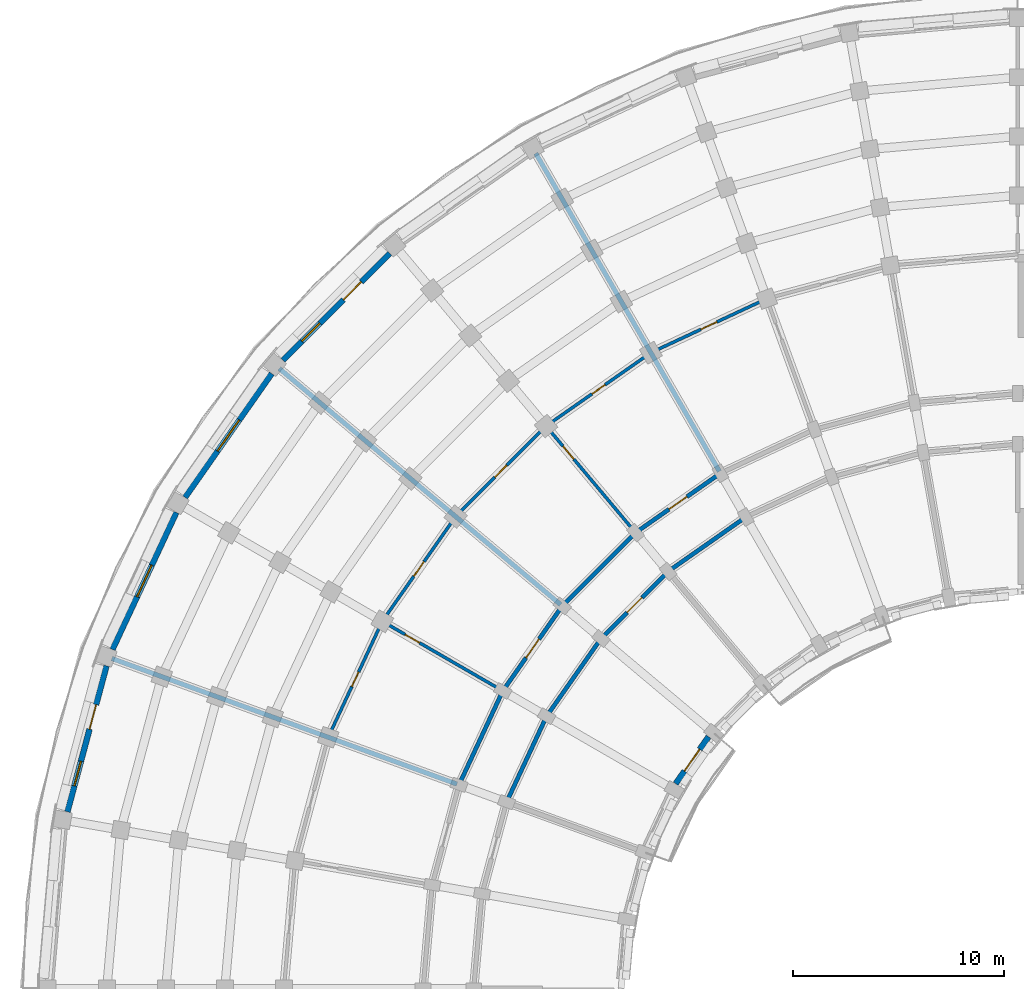
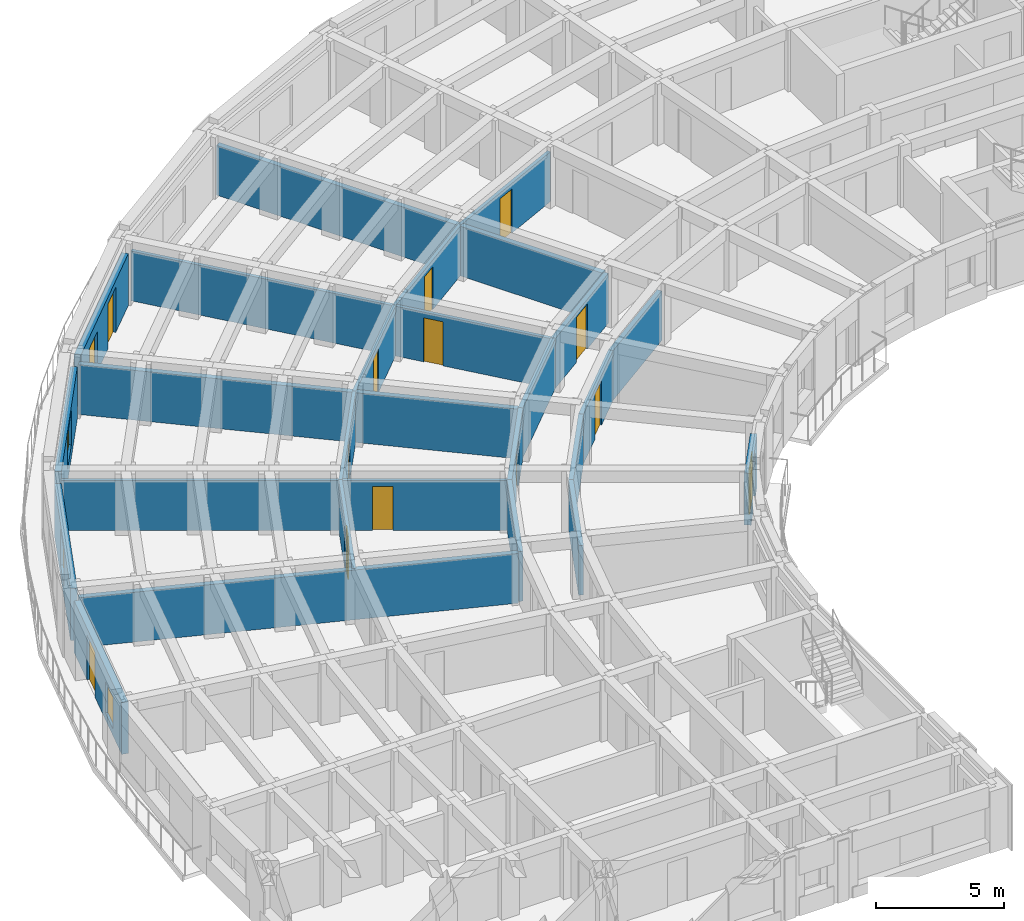
# One storey, part 44 of 76: 23 walls, 13 doors, 4 windows, 17 openings.
"""IFC4 building model written with IfcOpenShell, lengths in metres."""

from ifc_helpers import new_model, si_unit, direction, frame, frame_2d, origin, place, context, subcontext, project, spatial, rectangle, extrude, material, layer, layer_set, type_object, element, fill, save


model = new_model("IFC4")

# Units and contexts
model_context = context("Model", 3, precision=1e-05, world=origin(), true_north=direction((0.0, 1.0)))
body_context = subcontext(model_context, "Body", "Model", "MODEL_VIEW")
ifc_project = project(units=[si_unit("LENGTHUNIT", "METRE"), si_unit("AREAUNIT", "SQUARE_METRE"), si_unit("VOLUMEUNIT", "CUBIC_METRE"), si_unit("PLANEANGLEUNIT", "RADIAN"), si_unit("MASSUNIT", "GRAM", prefix="KILO")], contexts=[model_context])

# Site, building, storey
site_placement = place(None, origin())
site = spatial("IfcSite", under=ifc_project, at=site_placement, CompositionType="ELEMENT")
building_placement = place(site_placement, origin())
building = spatial("IfcBuilding", under=site, at=building_placement, Name="Kiranvali Square Residences", CompositionType="ELEMENT")
storey_placement = place(building_placement, frame((0.0, 0.0, 8.699951171875)))
storey = spatial("IfcBuildingStorey", under=building, at=storey_placement, Name="L02", CompositionType="ELEMENT", Elevation=8.699951171875)

# Wall
ifc_material_1 = material(Name="Autoclaved aerated concrete blockwork masonry", Category="masonry")
ifc_layer_1 = layer(ifc_material_1, 0.199951171875)
ifc_layer_set_1 = layer_set([ifc_layer_1], Name="Autoclaved aerated concrete blockwork masonry")
wall_type_1 = type_object("IfcWallType", Name="WL-COR-200", PredefinedType="STANDARD", material=ifc_layer_set_1)
wall_1_placement = place(storey_placement, frame((35.300048828125, 110.1435546875, 0.0), z_axis=(0.0, 0.0, 1.0), x_axis=(-0.819155404658, -0.573571637217, 0.0)))
element("IfcWall", 1, at=wall_1_placement, inside=storey, type_object=wall_type_1, Name="L02 architectural wall WL-L02-A-CCI-3", PredefinedType="STANDARD", context=body_context, shape_type="SweptSolid", body=[
    extrude(rectangle(XDim=4.497314453125, YDim=0.199951171875, at=frame_2d((2.24853515625, 0.0))), origin(), (0.0, 0.0, 1.0), 2.3720703125),
])

# Wall, opening, door
wall_2_placement = place(storey_placement, frame((34.10009765625, 112.221923828125, 0.0), z_axis=(0.0, 0.0, 1.0), x_axis=(-0.819140911474, -0.573592335331, 0.0)))
wall_2 = element("IfcWall", 2, at=wall_2_placement, inside=storey, type_object=wall_type_1, Name="L02 architectural wall WL-L02-A-CCO-3", PredefinedType="STANDARD", context=body_context, shape_type="SweptSolid", body=[
    extrude(rectangle(XDim=4.915771484375, YDim=0.199951171875, at=frame_2d((2.4580078125, 0.0))), origin(), (0.0, 0.0, 1.0), 2.3720703125),
])
opening_1_placement = place(wall_2_placement, frame((1.937744140625, 0.0, 0.0)))
opening_1 = element("IfcOpeningElement", 3, at=opening_1_placement, cuts=wall_2, Name="Opening FD-APT-60B", PredefinedType="OPENING", context=body_context, shape_type="SweptSolid", body=[
    extrude(rectangle(XDim=1.0400390625, YDim=2.14990234375, at=frame_2d((0.52001953125, 1.074951171875))), frame((0.0, 0.10986328125, 0.0), z_axis=(0.0, -1.0, 0.0), x_axis=(1.0, 0.0, 0.0)), (0.0, 0.0, 1.0), 0.219970703125),
])
ifc_material_2 = material(Name="Fire-rated acoustic hardwood and mineral-core door assembly", Category="wood")
door_type_1 = type_object("IfcDoorType", Name="DR-APT-1040", OperationType="NOTDEFINED", PredefinedType="DOOR", material=ifc_material_2)
door_1_placement = place(opening_1_placement, origin())
door_1 = element("IfcDoor", 4, at=door_1_placement, inside=storey, type_object=door_type_1, Name="L02 door DR-L02-0191 (DR-APT-1040)", OperationType="SINGLE_SWING_LEFT", OverallHeight=2.14990234375, OverallWidth=1.0400390625, PredefinedType="DOOR", context=body_context, shape_type="SweptSolid", body=[
    extrude(rectangle(XDim=1.0400390625, YDim=2.14990234375, at=frame_2d((0.52001953125, 1.074951171875))), frame((0.0, 0.02490234375, 0.0), z_axis=(0.0, -1.0, 0.0), x_axis=(1.0, 0.0, 0.0)), (0.0, 0.0, 1.0), 0.050048828125),
])
fill(opening_1, door_1)

wall_3_placement = place(storey_placement, frame((31.615966796875, 107.56396484375, 0.0), z_axis=(0.0, 0.0, 1.0), x_axis=(-0.707106781187, -0.707106781187, 0.0)))
wall_3 = element("IfcWall", 5, at=wall_3_placement, inside=storey, type_object=wall_type_1, Name="L02 architectural wall WL-L02-A-CCI-4", PredefinedType="STANDARD", context=body_context, shape_type="SweptSolid", body=[
    extrude(rectangle(XDim=4.4970703125, YDim=0.199951171875, at=frame_2d((2.24853515625, 0.0))), origin(), (0.0, 0.0, 1.0), 2.3720703125),
])
opening_2_placement = place(wall_3_placement, frame((1.74853515625, 0.0, 0.0)))
opening_2 = element("IfcOpeningElement", 6, at=opening_2_placement, cuts=wall_3, Name="Opening FD-APT-60", PredefinedType="OPENING", context=body_context, shape_type="SweptSolid", body=[
    extrude(rectangle(XDim=1.0, YDim=2.14990234375, at=frame_2d((0.5, 1.074951171875))), frame((0.0, 0.10986328125, 0.0), z_axis=(0.0, -1.0, 0.0), x_axis=(1.0, 0.0, 0.0)), (0.0, 0.0, 1.0), 0.219970703125),
])
door_type_2 = type_object("IfcDoorType", Name="DR-APT-1000", OperationType="NOTDEFINED", PredefinedType="DOOR", material=ifc_material_2)
door_2_placement = place(opening_2_placement, frame((1.0, 0.0, 0.0), z_axis=(0.0, 0.0, 1.0), x_axis=(-1.0, 0.0, 0.0)))
door_2 = element("IfcDoor", 7, at=door_2_placement, inside=storey, type_object=door_type_2, Name="L02 door DR-L02-0202 (DR-APT-1000)", OperationType="SINGLE_SWING_RIGHT", OverallHeight=2.14990234375, OverallWidth=1.0, PredefinedType="DOOR", context=body_context, shape_type="SweptSolid", body=[
    extrude(rectangle(XDim=1.0, YDim=2.14990234375, at=frame_2d((0.5, 1.074951171875))), frame((0.0, 0.02490234375, 0.0), z_axis=(0.0, -1.0, 0.0), x_axis=(1.0, 0.0, 0.0)), (0.0, 0.0, 1.0), 0.050048828125),
])
fill(opening_2, door_2)

# Walls
wall_4_placement = place(storey_placement, frame((30.073486328125, 109.40234375, 0.0), z_axis=(0.0, 0.0, 1.0), x_axis=(-0.707106781187, -0.707106781187, 0.0)))
element("IfcWall", 8, at=wall_4_placement, inside=storey, type_object=wall_type_1, Name="L02 architectural wall WL-L02-A-CCO-4", PredefinedType="STANDARD", context=body_context, shape_type="SweptSolid", body=[
    extrude(rectangle(XDim=4.91552734375, YDim=0.199951171875, at=frame_2d((2.457763671875, 0.0))), origin(), (0.0, 0.0, 1.0), 2.3720703125),
])
wall_5_placement = place(storey_placement, frame((28.43603515625, 104.384033203125, 0.0), z_axis=(0.0, 0.0, 1.0), x_axis=(-0.573571637217, -0.819155404658, 0.0)))
element("IfcWall", 9, at=wall_5_placement, inside=storey, type_object=wall_type_1, Name="L02 architectural wall WL-L02-A-CCI-5", PredefinedType="STANDARD", context=body_context, shape_type="SweptSolid", body=[
    extrude(rectangle(XDim=4.497314453125, YDim=0.199951171875, at=frame_2d((2.24853515625, 0.0))), origin(), (0.0, 0.0, 1.0), 2.3720703125),
])

# Wall, opening, door
wall_6_placement = place(storey_placement, frame((26.59765625, 105.926513671875, 0.0), z_axis=(0.0, 0.0, 1.0), x_axis=(-0.573592335331, -0.819140911474, 0.0)))
wall_6 = element("IfcWall", 10, at=wall_6_placement, inside=storey, type_object=wall_type_1, Name="L02 architectural wall WL-L02-A-CCO-5", PredefinedType="STANDARD", context=body_context, shape_type="SweptSolid", body=[
    extrude(rectangle(XDim=4.915771484375, YDim=0.199951171875, at=frame_2d((2.4580078125, 0.0))), origin(), (0.0, 0.0, 1.0), 2.3720703125),
])
opening_3_placement = place(wall_6_placement, frame((1.917724609375, 0.0, 0.0)))
opening_3 = element("IfcOpeningElement", 11, at=opening_3_placement, cuts=wall_6, Name="Opening FD-APT-60C", PredefinedType="OPENING", context=body_context, shape_type="SweptSolid", body=[
    extrude(rectangle(XDim=1.080078125, YDim=2.14990234375, at=frame_2d((0.5400390625, 1.074951171875))), frame((0.0, 0.10986328125, 0.0), z_axis=(0.0, -1.0, 0.0), x_axis=(1.0, 0.0, 0.0)), (0.0, 0.0, 1.0), 0.219970703125),
])
door_type_3 = type_object("IfcDoorType", Name="DR-APT-1080", OperationType="NOTDEFINED", PredefinedType="DOOR", material=ifc_material_2)
door_3_placement = place(opening_3_placement, frame((1.080078125, 0.0, 0.0), z_axis=(0.0, 0.0, 1.0), x_axis=(-1.0, 0.0, 0.0)))
door_3 = element("IfcDoor", 12, at=door_3_placement, inside=storey, type_object=door_type_3, Name="L02 door DR-L02-0194 (DR-APT-1080)", OperationType="SINGLE_SWING_RIGHT", OverallHeight=2.14990234375, OverallWidth=1.080078125, PredefinedType="DOOR", context=body_context, shape_type="SweptSolid", body=[
    extrude(rectangle(XDim=1.080078125, YDim=2.14990234375, at=frame_2d((0.5400390625, 1.074951171875))), frame((0.0, 0.02490234375, 0.0), z_axis=(0.0, -1.0, 0.0), x_axis=(1.0, 0.0, 0.0)), (0.0, 0.0, 1.0), 0.050048828125),
])
fill(opening_3, door_3)

# Walls
wall_7_placement = place(storey_placement, frame((25.8564453125, 100.699951171875, 0.0), z_axis=(0.0, 0.0, 1.0), x_axis=(-0.422617978463, -0.906307919131, 0.0)))
element("IfcWall", 13, at=wall_7_placement, inside=storey, type_object=wall_type_1, Name="L02 architectural wall WL-L02-A-CCI-6", PredefinedType="STANDARD", context=body_context, shape_type="SweptSolid", body=[
    extrude(rectangle(XDim=4.497314453125, YDim=0.199951171875, at=frame_2d((2.24853515625, 0.0))), origin(), (0.0, 0.0, 1.0), 2.3720703125),
])
wall_8_placement = place(storey_placement, frame((23.778076171875, 101.89990234375, 0.0), z_axis=(0.0, 0.0, 1.0), x_axis=(-0.422629854778, -0.906302381024, 0.0)))
element("IfcWall", 14, at=wall_8_placement, inside=storey, type_object=wall_type_1, Name="L02 architectural wall WL-L02-A-CCO-6", PredefinedType="STANDARD", context=body_context, shape_type="SweptSolid", body=[
    extrude(rectangle(XDim=4.915283203125, YDim=0.199951171875, at=frame_2d((2.45751953125, 0.0))), origin(), (0.0, 0.0, 1.0), 2.3720703125),
])
ifc_layer_2 = layer(ifc_material_1, 0.22998046875)
ifc_layer_set_2 = layer_set([ifc_layer_2], Name="Autoclaved aerated concrete blockwork masonry")
wall_type_2 = type_object("IfcWallType", Name="WL-DEM-230", PredefinedType="STANDARD", material=ifc_layer_set_2)
for number, where, z_axis, x_axis, name in (
    (15, (34.050048828125, 112.30859375, 0.0), (0.0, 0.0, 1.0), (-0.499997843263, 0.866026648973, 0.0), "L02 architectural wall WL-L02-A-RADO-3"),
    (16, (26.52099609375, 105.990966796875, 0.0), (0.0, 0.0, 1.0), (-0.766046835987, 0.642784757967, 0.0), "L02 architectural wall WL-L02-A-RADO-5"),
    (17, (21.606689453125, 97.479248046875, 0.0), (0.0, 0.0, 1.0), (-0.939691901159, 0.342022120477, 0.0), "L02 architectural wall WL-L02-A-RADO-7"),
):
    element("IfcWall", number, at=place(storey_placement, frame(where, z_axis=z_axis, x_axis=x_axis)), inside=storey, type_object=wall_type_2, Name=name, PredefinedType="STANDARD", context=body_context, shape_type="SweptSolid", body=[
        extrude(rectangle(XDim=17.419921875, YDim=0.22998046875, at=frame_2d((8.7099609375, 0.0))), origin(), (0.0, 0.0, 1.0), 2.3720703125),
    ])

# Wall, openings, door, window
ifc_material_3 = material(Name="Breathable lime-rendered clay brick masonry", Category="masonry")
ifc_layer_3 = layer(ifc_material_3, 0.27490234375)
ifc_layer_set_3 = layer_set([ifc_layer_3], Name="Breathable lime-rendered clay brick masonry")
wall_type_3 = type_object("IfcWallType", Name="WL-EXT-275", PredefinedType="STANDARD", material=ifc_layer_set_3)
wall_9_placement = place(storey_placement, frame((18.418212890625, 122.647705078125, 0.0), z_axis=(0.0, 0.0, 1.0), x_axis=(-0.707106781187, -0.707106781187, 0.0)))
wall_9 = element("IfcWall", 18, at=wall_9_placement, inside=storey, type_object=wall_type_3, Name="L02 exterior wall A-L02-CRV-04", PredefinedType="STANDARD", context=body_context, shape_type="SweptSolid", body=[
    extrude(rectangle(XDim=7.164306640625, YDim=0.27490234375, at=frame_2d((3.58203125, 0.0))), origin(), (0.0, 0.0, 1.0), 2.47216796875),
])
opening_4_placement = place(wall_9_placement, frame((4.6904296875, 0.0, 0.422119140625)))
opening_4 = element("IfcOpeningElement", 19, at=opening_4_placement, cuts=wall_9, Name="Opening W-06", PredefinedType="OPENING", context=body_context, shape_type="SweptSolid", body=[
    extrude(rectangle(XDim=1.199951171875, YDim=1.5, at=frame_2d((0.60009765625, 0.75))), frame((0.0, 0.1474609375, 0.0), z_axis=(0.0, -1.0, 0.0), x_axis=(1.0, 0.0, 0.0)), (0.0, 0.0, 1.0), 0.294921875),
])
opening_5_placement = place(wall_9_placement, frame((1.907470703125, 0.0, 0.0)))
opening_5 = element("IfcOpeningElement", 20, at=opening_5_placement, cuts=wall_9, Name="Opening ED-BAL-1", PredefinedType="OPENING", context=body_context, shape_type="SweptSolid", body=[
    extrude(rectangle(XDim=1.199951171875, YDim=2.14990234375, at=frame_2d((0.60009765625, 1.074951171875))), frame((0.0, 0.1474609375, 0.0), z_axis=(0.0, -1.0, 0.0), x_axis=(1.0, 0.0, 0.0)), (0.0, 0.0, 1.0), 0.294921875),
])
ifc_material_4 = material(Name="Anodised bronze aluminium framing", Category="aluminium")
door_type_4 = type_object("IfcDoorType", Name="DR-BAL-1200", OperationType="NOTDEFINED", PredefinedType="DOOR", material=ifc_material_4)
door_4_placement = place(opening_5_placement, frame((1.199951171875, 0.0, 0.0), z_axis=(0.0, 0.0, 1.0), x_axis=(-1.0, 0.0, 0.0)))
door_4 = element("IfcDoor", 21, at=door_4_placement, inside=storey, type_object=door_type_4, Name="L02 balcony terrace door", OperationType="SINGLE_SWING_RIGHT", OverallHeight=2.14990234375, OverallWidth=1.199951171875, PredefinedType="DOOR", context=body_context, shape_type="SweptSolid", body=[
    extrude(rectangle(XDim=1.199951171875, YDim=2.14990234375, at=frame_2d((0.60009765625, 1.074951171875))), frame((0.0, 0.02490234375, 0.0), z_axis=(0.0, -1.0, 0.0), x_axis=(1.0, 0.0, 0.0)), (0.0, 0.0, 1.0), 0.050048828125),
])
fill(opening_5, door_4)
ifc_material_5 = material(Name="Solar-control low-e double glazing", Category="glass")
window_type_1 = type_object("IfcWindowType", Name="WIN-RES-1200x1500", PartitioningType="SINGLE_PANEL", PredefinedType="WINDOW", material=ifc_material_5)
window_1_placement = place(opening_4_placement, origin())
window_1 = element("IfcWindow", 22, at=window_1_placement, inside=storey, type_object=window_type_1, Name="L02 recessed window A-L02-CRV-04", OverallHeight=1.5, OverallWidth=1.199951171875, PartitioningType="SINGLE_PANEL", PredefinedType="WINDOW", context=body_context, shape_type="SweptSolid", body=[
    extrude(rectangle(XDim=1.199951171875, YDim=1.5, at=frame_2d((0.60009765625, 0.75))), frame((0.0, 0.030029296875, 0.0), z_axis=(0.0, -1.0, 0.0), x_axis=(1.0, 0.0, 0.0)), (0.0, 0.0, 1.0), 0.06005859375),
])
fill(opening_4, window_1)

# Wall, opening, window
wall_10_placement = place(storey_placement, frame((12.8193359375, 116.94677734375, 0.0), z_axis=(0.0, 0.0, 1.0), x_axis=(-0.573562972382, -0.819161471697, 0.0)))
wall_10 = element("IfcWall", 23, at=wall_10_placement, inside=storey, type_object=wall_type_3, Name="L02 exterior wall A-L02-CRV-05", PredefinedType="STANDARD", context=body_context, shape_type="SweptSolid", body=[
    extrude(rectangle(XDim=7.164306640625, YDim=0.27490234375, at=frame_2d((3.58203125, 0.0))), origin(), (0.0, 0.0, 1.0), 2.47216796875),
])
opening_6_placement = place(wall_10_placement, frame((2.68212890625, 0.0, 0.6220703125)))
opening_6 = element("IfcOpeningElement", 24, at=opening_6_placement, cuts=wall_10, Name="Opening W-04", PredefinedType="OPENING", context=body_context, shape_type="SweptSolid", body=[
    extrude(rectangle(XDim=1.800048828125, YDim=1.64990234375, at=frame_2d((0.89990234375, 0.824951171875))), frame((0.0, 0.1474609375, 0.0), z_axis=(0.0, -1.0, 0.0), x_axis=(1.0, 0.0, 0.0)), (0.0, 0.0, 1.0), 0.294921875),
])
window_type_2 = type_object("IfcWindowType", Name="WIN-RES-1800x1650", PartitioningType="DOUBLE_PANEL_VERTICAL", PredefinedType="WINDOW", material=ifc_material_5)
window_2_placement = place(opening_6_placement, origin())
window_2 = element("IfcWindow", 25, at=window_2_placement, inside=storey, type_object=window_type_2, Name="L02 recessed window A-L02-CRV-05", OverallHeight=1.64990234375, OverallWidth=1.800048828125, PartitioningType="DOUBLE_PANEL_VERTICAL", PredefinedType="WINDOW", context=body_context, shape_type="SweptSolid", body=[
    extrude(rectangle(XDim=1.800048828125, YDim=1.64990234375, at=frame_2d((0.89990234375, 0.824951171875))), frame((0.0, 0.030029296875, 0.0), z_axis=(0.0, -1.0, 0.0), x_axis=(1.0, 0.0, 0.0)), (0.0, 0.0, 1.0), 0.06005859375),
])
fill(opening_6, window_2)

wall_11_placement = place(storey_placement, frame((8.295654296875, 110.360107421875, 0.0), z_axis=(0.0, 0.0, 1.0), x_axis=(-0.422633596215, -0.906300636296, 0.0)))
wall_11 = element("IfcWall", 26, at=wall_11_placement, inside=storey, type_object=wall_type_3, Name="L02 exterior wall A-L02-CRV-06", PredefinedType="STANDARD", context=body_context, shape_type="SweptSolid", body=[
    extrude(rectangle(XDim=7.164306640625, YDim=0.27490234375, at=frame_2d((3.58203125, 0.0))), origin(), (0.0, 0.0, 1.0), 2.47216796875),
])
opening_7_placement = place(wall_11_placement, frame((2.757080078125, 0.0, 0.52197265625)))
opening_7 = element("IfcOpeningElement", 27, at=opening_7_placement, cuts=wall_11, Name="Opening W-13", PredefinedType="OPENING", context=body_context, shape_type="SweptSolid", body=[
    extrude(rectangle(XDim=1.64990234375, YDim=1.75, at=frame_2d((0.824951171875, 0.875))), frame((0.0, 0.1474609375, 0.0), z_axis=(0.0, -1.0, 0.0), x_axis=(1.0, 0.0, 0.0)), (0.0, 0.0, 1.0), 0.294921875),
])
window_type_3 = type_object("IfcWindowType", Name="WIN-RES-1650x1750", PartitioningType="DOUBLE_PANEL_VERTICAL", PredefinedType="WINDOW", material=ifc_material_5)
window_3_placement = place(opening_7_placement, origin())
window_3 = element("IfcWindow", 28, at=window_3_placement, inside=storey, type_object=window_type_3, Name="L02 recessed window A-L02-CRV-06", OverallHeight=1.75, OverallWidth=1.64990234375, PartitioningType="DOUBLE_PANEL_VERTICAL", PredefinedType="WINDOW", context=body_context, shape_type="SweptSolid", body=[
    extrude(rectangle(XDim=1.64990234375, YDim=1.75, at=frame_2d((0.824951171875, 0.875))), frame((0.0, 0.030029296875, 0.0), z_axis=(0.0, -1.0, 0.0), x_axis=(1.0, 0.0, 0.0)), (0.0, 0.0, 1.0), 0.06005859375),
])
fill(opening_7, window_3)

# Wall, openings, door, window
wall_12_placement = place(storey_placement, frame((4.984375, 103.087890625, 0.0), z_axis=(0.0, 0.0, 1.0), x_axis=(-0.258826933296, -0.965923712619, 0.0)))
wall_12 = element("IfcWall", 29, at=wall_12_placement, inside=storey, type_object=wall_type_3, Name="L02 exterior wall A-L02-CRV-07", PredefinedType="STANDARD", context=body_context, shape_type="SweptSolid", body=[
    extrude(rectangle(XDim=7.1640625, YDim=0.27490234375, at=frame_2d((3.58203125, 0.0))), origin(), (0.0, 0.0, 1.0), 2.47216796875),
])
opening_8_placement = place(wall_12_placement, frame((4.6904296875, 0.0, 0.322021484375)))
opening_8 = element("IfcOpeningElement", 30, at=opening_8_placement, cuts=wall_12, Name="Opening W-06", PredefinedType="OPENING", context=body_context, shape_type="SweptSolid", body=[
    extrude(rectangle(XDim=1.199951171875, YDim=1.5, at=frame_2d((0.60009765625, 0.75))), frame((0.0, 0.1474609375, 0.0), z_axis=(0.0, -1.0, 0.0), x_axis=(1.0, 0.0, 0.0)), (0.0, 0.0, 1.0), 0.294921875),
])
opening_9_placement = place(wall_12_placement, frame((1.907470703125, 0.0, 0.0)))
opening_9 = element("IfcOpeningElement", 31, at=opening_9_placement, cuts=wall_12, Name="Opening ED-BAL-1", PredefinedType="OPENING", context=body_context, shape_type="SweptSolid", body=[
    extrude(rectangle(XDim=1.199951171875, YDim=2.14990234375, at=frame_2d((0.60009765625, 1.074951171875))), frame((0.0, 0.1474609375, 0.0), z_axis=(0.0, -1.0, 0.0), x_axis=(1.0, 0.0, 0.0)), (0.0, 0.0, 1.0), 0.294921875),
])
door_5_placement = place(opening_9_placement, frame((1.199951171875, 0.0, 0.0), z_axis=(0.0, 0.0, 1.0), x_axis=(-1.0, 0.0, 0.0)))
door_5 = element("IfcDoor", 32, at=door_5_placement, inside=storey, type_object=door_type_4, Name="L02 balcony terrace door", OperationType="SINGLE_SWING_LEFT", OverallHeight=2.14990234375, OverallWidth=1.199951171875, PredefinedType="DOOR", context=body_context, shape_type="SweptSolid", body=[
    extrude(rectangle(XDim=1.199951171875, YDim=2.14990234375, at=frame_2d((0.60009765625, 1.074951171875))), frame((0.0, 0.02490234375, 0.0), z_axis=(0.0, -1.0, 0.0), x_axis=(1.0, 0.0, 0.0)), (0.0, 0.0, 1.0), 0.050048828125),
])
fill(opening_9, door_5)
window_4_placement = place(opening_8_placement, origin())
window_4 = element("IfcWindow", 33, at=window_4_placement, inside=storey, type_object=window_type_1, Name="L02 recessed window A-L02-CRV-07", OverallHeight=1.5, OverallWidth=1.199951171875, PartitioningType="SINGLE_PANEL", PredefinedType="WINDOW", context=body_context, shape_type="SweptSolid", body=[
    extrude(rectangle(XDim=1.199951171875, YDim=1.5, at=frame_2d((0.60009765625, 0.75))), frame((0.0, 0.030029296875, 0.0), z_axis=(0.0, -1.0, 0.0), x_axis=(1.0, 0.0, 0.0)), (0.0, 0.0, 1.0), 0.06005859375),
])
fill(opening_8, window_4)

# Wall, opening, door
wall_13_placement = place(storey_placement, frame((33.535400390625, 99.72705078125, 0.0), z_axis=(0.0, 0.0, 1.0), x_axis=(-0.573546755948, -0.81917282593, 0.0)))
wall_13 = element("IfcWall", 34, at=wall_13_placement, inside=storey, type_object=wall_type_3, Name="L02 exterior wall A-L02-GDN-05", PredefinedType="STANDARD", context=body_context, shape_type="SweptSolid", body=[
    extrude(rectangle(XDim=2.717529296875, YDim=0.27490234375, at=frame_2d((1.35888671875, 0.0))), origin(), (0.0, 0.0, 1.0), 2.47216796875),
])
opening_10_placement = place(wall_13_placement, frame((0.728759765625, 0.0, 0.0)))
opening_10 = element("IfcOpeningElement", 35, at=opening_10_placement, cuts=wall_13, Name="Opening ED-BAL-2", PredefinedType="OPENING", context=body_context, shape_type="SweptSolid", body=[
    extrude(rectangle(XDim=1.260009765625, YDim=2.14990234375, at=frame_2d((0.6298828125, 1.074951171875))), frame((0.0, 0.1474609375, 0.0), z_axis=(0.0, -1.0, 0.0), x_axis=(1.0, 0.0, 0.0)), (0.0, 0.0, 1.0), 0.294921875),
])
door_type_5 = type_object("IfcDoorType", Name="DR-BAL-1260", OperationType="NOTDEFINED", PredefinedType="DOOR", material=ifc_material_4)
door_6_placement = place(opening_10_placement, origin())
door_6 = element("IfcDoor", 36, at=door_6_placement, inside=storey, type_object=door_type_5, Name="L02 balcony terrace door", OperationType="SINGLE_SWING_LEFT", OverallHeight=2.14990234375, OverallWidth=1.260009765625, PredefinedType="DOOR", context=body_context, shape_type="SweptSolid", body=[
    extrude(rectangle(XDim=1.260009765625, YDim=2.14990234375, at=frame_2d((0.6298828125, 1.074951171875))), frame((0.0, 0.02490234375, 0.0), z_axis=(0.0, -1.0, 0.0), x_axis=(1.0, 0.0, 0.0)), (0.0, 0.0, 1.0), 0.050048828125),
])
fill(opening_10, door_6)

ifc_material_6 = material(Name="Acoustic gypsum board drylined partition", Category="gypsum")
ifc_layer_4 = layer(ifc_material_6, 0.14990234375)
ifc_layer_set_4 = layer_set([ifc_layer_4], Name="Acoustic gypsum board drylined partition")
wall_type_4 = type_object("IfcWallType", Name="WL-PRT-150", PredefinedType="PARTITIONING", material=ifc_layer_set_4)
wall_14_placement = place(storey_placement, frame((30.009033203125, 109.47900390625, 0.0), z_axis=(0.0, 0.0, 1.0), x_axis=(-0.642784757967, 0.766046835987, 0.0)))
wall_14 = element("IfcWall", 37, at=wall_14_placement, inside=storey, type_object=wall_type_4, Name="L02 architectural wall WL-L02-A-RADO-4", PredefinedType="PARTITIONING", context=body_context, shape_type="SweptSolid", body=[
    extrude(rectangle(XDim=17.419921875, YDim=0.14990234375, at=frame_2d((8.7099609375, 0.0))), origin(), (0.0, 0.0, 1.0), 2.3720703125),
])
opening_11_placement = place(wall_14_placement, frame((4.44970703125, 0.0, 0.0)))
opening_11 = element("IfcOpeningElement", 38, at=opening_11_placement, cuts=wall_14, Name="Opening ID-WET", PredefinedType="OPENING", context=body_context, shape_type="SweptSolid", body=[
    extrude(rectangle(XDim=0.800048828125, YDim=2.10009765625, at=frame_2d((0.39990234375, 1.050048828125))), frame((0.0, 0.0849609375, 0.0), z_axis=(0.0, -1.0, 0.0), x_axis=(1.0, 0.0, 0.0)), (0.0, 0.0, 1.0), 0.169921875),
])
ifc_material_7 = material(Name="Solid seasoned teak hardwood joinery", Category="wood")
door_type_6 = type_object("IfcDoorType", Name="DR-WET-800", OperationType="NOTDEFINED", PredefinedType="DOOR", material=ifc_material_7)
door_7_placement = place(opening_11_placement, frame((0.800048828125, 0.0, 0.0), z_axis=(0.0, 0.0, 1.0), x_axis=(-1.0, 0.0, 0.0)))
door_7 = element("IfcDoor", 39, at=door_7_placement, inside=storey, type_object=door_type_6, Name="L02 door DR-L02-0184 (DR-WET-800)", OperationType="SINGLE_SWING_RIGHT", OverallHeight=2.10009765625, OverallWidth=0.800048828125, PredefinedType="DOOR", context=body_context, shape_type="SweptSolid", body=[
    extrude(rectangle(XDim=0.800048828125, YDim=2.10009765625, at=frame_2d((0.39990234375, 1.050048828125))), frame((0.0, 0.02490234375, 0.0), z_axis=(0.0, -1.0, 0.0), x_axis=(1.0, 0.0, 0.0)), (0.0, 0.0, 1.0), 0.050048828125),
])
fill(opening_11, door_7)

wall_15_placement = place(storey_placement, frame((23.69140625, 101.949951171875, 0.0), z_axis=(0.0, 0.0, 1.0), x_axis=(-0.866026648973, 0.499997843263, 0.0)))
wall_15 = element("IfcWall", 40, at=wall_15_placement, inside=storey, type_object=wall_type_4, Name="L02 architectural wall WL-L02-A-RADO-6", PredefinedType="PARTITIONING", context=body_context, shape_type="SweptSolid", body=[
    extrude(rectangle(XDim=17.419921875, YDim=0.14990234375, at=frame_2d((8.7099609375, 0.0))), origin(), (0.0, 0.0, 1.0), 2.3720703125),
])
opening_12_placement = place(wall_15_placement, frame((4.44970703125, 0.0, 0.0)))
opening_12 = element("IfcOpeningElement", 41, at=opening_12_placement, cuts=wall_15, Name="Opening ID-WET", PredefinedType="OPENING", context=body_context, shape_type="SweptSolid", body=[
    extrude(rectangle(XDim=0.800048828125, YDim=2.10009765625, at=frame_2d((0.39990234375, 1.050048828125))), frame((0.0, 0.0849609375, 0.0), z_axis=(0.0, -1.0, 0.0), x_axis=(1.0, 0.0, 0.0)), (0.0, 0.0, 1.0), 0.169921875),
])
door_8_placement = place(opening_12_placement, origin())
door_8 = element("IfcDoor", 42, at=door_8_placement, inside=storey, type_object=door_type_6, Name="L02 door DR-L02-0185 (DR-WET-800)", OperationType="SINGLE_SWING_LEFT", OverallHeight=2.10009765625, OverallWidth=0.800048828125, PredefinedType="DOOR", context=body_context, shape_type="SweptSolid", body=[
    extrude(rectangle(XDim=0.800048828125, YDim=2.10009765625, at=frame_2d((0.39990234375, 1.050048828125))), frame((0.0, 0.02490234375, 0.0), z_axis=(0.0, -1.0, 0.0), x_axis=(1.0, 0.0, 0.0)), (0.0, 0.0, 1.0), 0.050048828125),
])
fill(opening_12, door_8)

ifc_layer_5 = layer(ifc_material_1, 0.14990234375)
ifc_layer_set_5 = layer_set([ifc_layer_5], Name="Autoclaved aerated concrete blockwork masonry")
wall_type_5 = type_object("IfcWallType", Name="WL-WET-150", PredefinedType="PLUMBINGWALL", material=ifc_layer_set_5)
wall_16_placement = place(storey_placement, frame((36.297607421875, 120.501220703125, 0.0), z_axis=(0.0, 0.0, 1.0), x_axis=(-0.906312656069, -0.42260781991, 0.0)))
wall_16 = element("IfcWall", 43, at=wall_16_placement, inside=storey, type_object=wall_type_5, Name="L02 architectural wall WL-L02-A-CWET-2", PredefinedType="PLUMBINGWALL", context=body_context, shape_type="SweptSolid", body=[
    extrude(rectangle(XDim=6.06591796875, YDim=0.14990234375, at=frame_2d((3.032958984375, 0.0))), origin(), (0.0, 0.0, 1.0), 2.3720703125),
])
opening_13_placement = place(wall_16_placement, frame((2.613037109375, 0.0, 0.0)))
opening_13 = element("IfcOpeningElement", 44, at=opening_13_placement, cuts=wall_16, Name="Opening ID-WET2", PredefinedType="OPENING", context=body_context, shape_type="SweptSolid", body=[
    extrude(rectangle(XDim=0.840087890625, YDim=2.10009765625, at=frame_2d((0.419921875, 1.050048828125))), frame((0.0, 0.0849609375, 0.0), z_axis=(0.0, -1.0, 0.0), x_axis=(1.0, 0.0, 0.0)), (0.0, 0.0, 1.0), 0.169921875),
])
door_type_7 = type_object("IfcDoorType", Name="DR-WET-840", OperationType="NOTDEFINED", PredefinedType="DOOR", material=ifc_material_7)
door_9_placement = place(opening_13_placement, frame((0.840087890625, 0.0, 0.0), z_axis=(0.0, 0.0, 1.0), x_axis=(-1.0, 0.0, 0.0)))
door_9 = element("IfcDoor", 45, at=door_9_placement, inside=storey, type_object=door_type_7, Name="L02 door DR-L02-0190 (DR-WET-840)", OperationType="SINGLE_SWING_RIGHT", OverallHeight=2.10009765625, OverallWidth=0.840087890625, PredefinedType="DOOR", context=body_context, shape_type="SweptSolid", body=[
    extrude(rectangle(XDim=0.840087890625, YDim=2.10009765625, at=frame_2d((0.419921875, 1.050048828125))), frame((0.0, 0.02490234375, 0.0), z_axis=(0.0, -1.0, 0.0), x_axis=(1.0, 0.0, 0.0)), (0.0, 0.0, 1.0), 0.050048828125),
])
fill(opening_13, door_9)

wall_17_placement = place(storey_placement, frame((30.800048828125, 117.937744140625, 0.0), z_axis=(0.0, 0.0, 1.0), x_axis=(-0.81913926159, -0.573594691504, 0.0)))
wall_17 = element("IfcWall", 46, at=wall_17_placement, inside=storey, type_object=wall_type_5, Name="L02 architectural wall WL-L02-A-CWET-3", PredefinedType="PLUMBINGWALL", context=body_context, shape_type="SweptSolid", body=[
    extrude(rectangle(XDim=6.066162109375, YDim=0.14990234375, at=frame_2d((3.033203125, 0.0))), origin(), (0.0, 0.0, 1.0), 2.3720703125),
])
opening_14_placement = place(wall_17_placement, frame((2.653076171875, 0.0, 0.0)))
opening_14 = element("IfcOpeningElement", 47, at=opening_14_placement, cuts=wall_17, Name="Opening ID-WET0", PredefinedType="OPENING", context=body_context, shape_type="SweptSolid", body=[
    extrude(rectangle(XDim=0.760009765625, YDim=2.050048828125, at=frame_2d((0.3798828125, 1.02490234375))), frame((0.0, 0.0849609375, 0.0), z_axis=(0.0, -1.0, 0.0), x_axis=(1.0, 0.0, 0.0)), (0.0, 0.0, 1.0), 0.169921875),
])
door_type_8 = type_object("IfcDoorType", Name="DR-WET-760", OperationType="NOTDEFINED", PredefinedType="DOOR", material=ifc_material_7)
door_10_placement = place(opening_14_placement, frame((0.760009765625, 0.0, 0.0), z_axis=(0.0, 0.0, 1.0), x_axis=(-1.0, 0.0, 0.0)))
door_10 = element("IfcDoor", 48, at=door_10_placement, inside=storey, type_object=door_type_8, Name="L02 door DR-L02-0192 (DR-WET-760)", OperationType="SINGLE_SWING_RIGHT", OverallHeight=2.050048828125, OverallWidth=0.760009765625, PredefinedType="DOOR", context=body_context, shape_type="SweptSolid", body=[
    extrude(rectangle(XDim=0.760009765625, YDim=2.050048828125, at=frame_2d((0.3798828125, 1.02490234375))), frame((0.0, 0.02490234375, 0.0), z_axis=(0.0, -1.0, 0.0), x_axis=(1.0, 0.0, 0.0)), (0.0, 0.0, 1.0), 0.050048828125),
])
fill(opening_14, door_10)

wall_18_placement = place(storey_placement, frame((25.8310546875, 114.458251953125, 0.0), z_axis=(0.0, 0.0, 1.0), x_axis=(-0.707106781187, -0.707106781187, 0.0)))
wall_18 = element("IfcWall", 49, at=wall_18_placement, inside=storey, type_object=wall_type_5, Name="L02 architectural wall WL-L02-A-CWET-4", PredefinedType="PLUMBINGWALL", context=body_context, shape_type="SweptSolid", body=[
    extrude(rectangle(XDim=6.06591796875, YDim=0.14990234375, at=frame_2d((3.032958984375, 0.0))), origin(), (0.0, 0.0, 1.0), 2.3720703125),
])
opening_15_placement = place(wall_18_placement, frame((2.633056640625, 0.0, 0.0)))
opening_15 = element("IfcOpeningElement", 50, at=opening_15_placement, cuts=wall_18, Name="Opening ID-WET", PredefinedType="OPENING", context=body_context, shape_type="SweptSolid", body=[
    extrude(rectangle(XDim=0.800048828125, YDim=2.10009765625, at=frame_2d((0.39990234375, 1.050048828125))), frame((0.0, 0.0849609375, 0.0), z_axis=(0.0, -1.0, 0.0), x_axis=(1.0, 0.0, 0.0)), (0.0, 0.0, 1.0), 0.169921875),
])
door_11_placement = place(opening_15_placement, origin())
door_11 = element("IfcDoor", 51, at=door_11_placement, inside=storey, type_object=door_type_6, Name="L02 door DR-L02-0193 (DR-WET-800)", OperationType="SINGLE_SWING_LEFT", OverallHeight=2.10009765625, OverallWidth=0.800048828125, PredefinedType="DOOR", context=body_context, shape_type="SweptSolid", body=[
    extrude(rectangle(XDim=0.800048828125, YDim=2.10009765625, at=frame_2d((0.39990234375, 1.050048828125))), frame((0.0, 0.02490234375, 0.0), z_axis=(0.0, -1.0, 0.0), x_axis=(1.0, 0.0, 0.0)), (0.0, 0.0, 1.0), 0.050048828125),
])
fill(opening_15, door_11)

wall_19_placement = place(storey_placement, frame((21.541748046875, 110.1689453125, 0.0), z_axis=(0.0, 0.0, 1.0), x_axis=(-0.573594691504, -0.81913926159, 0.0)))
wall_19 = element("IfcWall", 52, at=wall_19_placement, inside=storey, type_object=wall_type_5, Name="L02 architectural wall WL-L02-A-CWET-5", PredefinedType="PLUMBINGWALL", context=body_context, shape_type="SweptSolid", body=[
    extrude(rectangle(XDim=6.066162109375, YDim=0.14990234375, at=frame_2d((3.033203125, 0.0))), origin(), (0.0, 0.0, 1.0), 2.3720703125),
])
opening_16_placement = place(wall_19_placement, frame((2.613037109375, 0.0, 0.0)))
opening_16 = element("IfcOpeningElement", 53, at=opening_16_placement, cuts=wall_19, Name="Opening ID-WET2", PredefinedType="OPENING", context=body_context, shape_type="SweptSolid", body=[
    extrude(rectangle(XDim=0.840087890625, YDim=2.10009765625, at=frame_2d((0.419921875, 1.050048828125))), frame((0.0, 0.0849609375, 0.0), z_axis=(0.0, -1.0, 0.0), x_axis=(1.0, 0.0, 0.0)), (0.0, 0.0, 1.0), 0.169921875),
])
door_12_placement = place(opening_16_placement, origin())
door_12 = element("IfcDoor", 54, at=door_12_placement, inside=storey, type_object=door_type_7, Name="L02 door DR-L02-0195 (DR-WET-840)", OperationType="SINGLE_SWING_LEFT", OverallHeight=2.10009765625, OverallWidth=0.840087890625, PredefinedType="DOOR", context=body_context, shape_type="SweptSolid", body=[
    extrude(rectangle(XDim=0.840087890625, YDim=2.10009765625, at=frame_2d((0.419921875, 1.050048828125))), frame((0.0, 0.02490234375, 0.0), z_axis=(0.0, -1.0, 0.0), x_axis=(1.0, 0.0, 0.0)), (0.0, 0.0, 1.0), 0.050048828125),
])
fill(opening_16, door_12)

wall_20_placement = place(storey_placement, frame((18.062255859375, 105.199951171875, 0.0), z_axis=(0.0, 0.0, 1.0), x_axis=(-0.42260781991, -0.906312656069, 0.0)))
wall_20 = element("IfcWall", 55, at=wall_20_placement, inside=storey, type_object=wall_type_5, Name="L02 architectural wall WL-L02-A-CWET-6", PredefinedType="PLUMBINGWALL", context=body_context, shape_type="SweptSolid", body=[
    extrude(rectangle(XDim=6.06591796875, YDim=0.14990234375, at=frame_2d((3.032958984375, 0.0))), origin(), (0.0, 0.0, 1.0), 2.3720703125),
])
opening_17_placement = place(wall_20_placement, frame((2.653076171875, 0.0, 0.0)))
opening_17 = element("IfcOpeningElement", 56, at=opening_17_placement, cuts=wall_20, Name="Opening ID-WET0", PredefinedType="OPENING", context=body_context, shape_type="SweptSolid", body=[
    extrude(rectangle(XDim=0.760009765625, YDim=2.050048828125, at=frame_2d((0.3798828125, 1.02490234375))), frame((0.0, 0.0849609375, 0.0), z_axis=(0.0, -1.0, 0.0), x_axis=(1.0, 0.0, 0.0)), (0.0, 0.0, 1.0), 0.169921875),
])
door_13_placement = place(opening_17_placement, frame((0.760009765625, 0.0, 0.0), z_axis=(0.0, 0.0, 1.0), x_axis=(-1.0, 0.0, 0.0)))
door_13 = element("IfcDoor", 57, at=door_13_placement, inside=storey, type_object=door_type_8, Name="L02 door DR-L02-0196 (DR-WET-760)", OperationType="SINGLE_SWING_RIGHT", OverallHeight=2.050048828125, OverallWidth=0.760009765625, PredefinedType="DOOR", context=body_context, shape_type="SweptSolid", body=[
    extrude(rectangle(XDim=0.760009765625, YDim=2.050048828125, at=frame_2d((0.3798828125, 1.02490234375))), frame((0.0, 0.02490234375, 0.0), z_axis=(0.0, -1.0, 0.0), x_axis=(1.0, 0.0, 0.0)), (0.0, 0.0, 1.0), 0.050048828125),
])
fill(opening_17, door_13)

save(model, "model.ifc")
